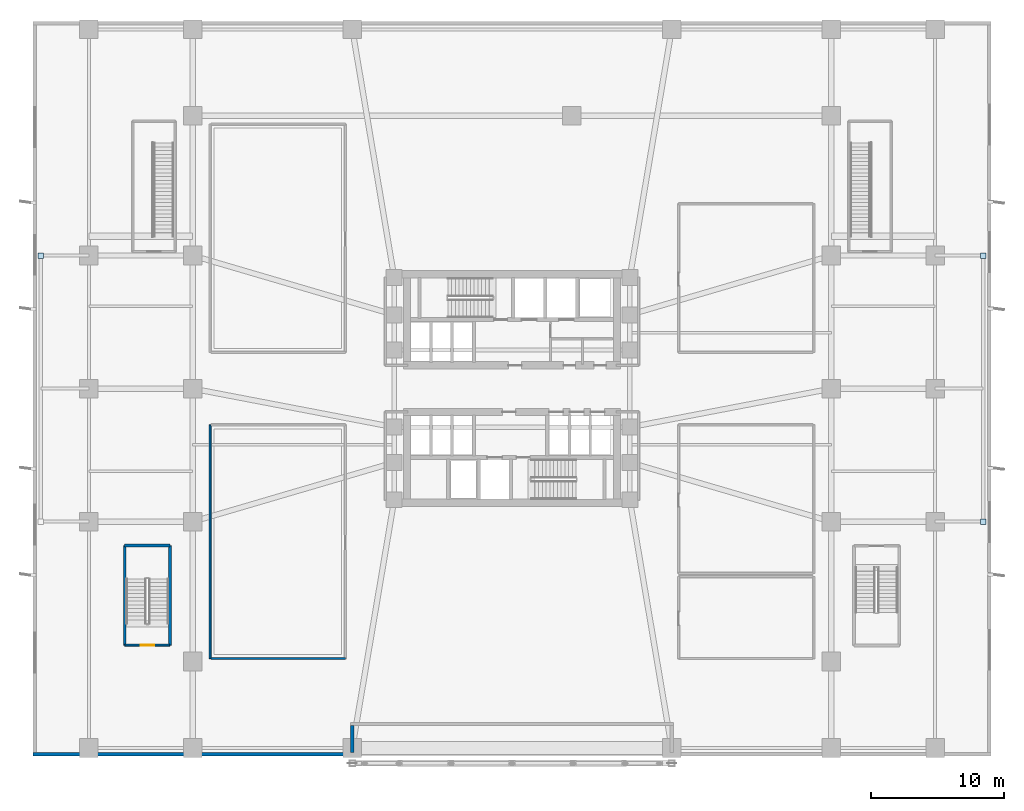
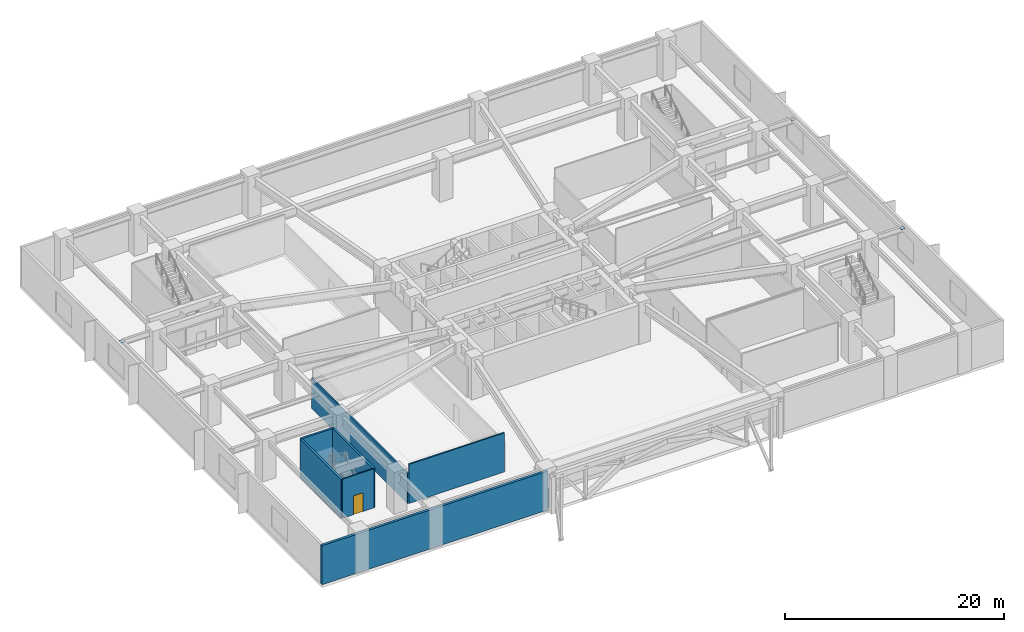
# One storey, part 11 of 21: 8 walls, 3 plates, 1 door, 1 opening.
"""IFC4 building model written with IfcOpenShell, lengths in metres."""

from ifc_helpers import new_model, si_unit, direction, frame, frame_2d, origin, origin_2d, place, context, subcontext, project, spatial, rectangle, extrude, material, layer, layer_set, type_object, element, fill, save


model = new_model("IFC4")

# Units and contexts
model_context = context("Model", 3, precision=1e-05, world=origin(), true_north=direction((0.0, 1.0)))
body_context = subcontext(model_context, "Body", "Model", "MODEL_VIEW")
ifc_project = project(units=[si_unit("LENGTHUNIT", "METRE"), si_unit("AREAUNIT", "SQUARE_METRE"), si_unit("VOLUMEUNIT", "CUBIC_METRE"), si_unit("PLANEANGLEUNIT", "RADIAN"), si_unit("MASSUNIT", "GRAM", prefix="KILO")], contexts=[model_context])

# Site, building, storey
site_placement = place(None, origin())
site = spatial("IfcSite", under=ifc_project, at=site_placement, CompositionType="ELEMENT")
building_placement = place(site_placement, origin())
building = spatial("IfcBuilding", under=site, at=building_placement, Name="Solmarez Civic Tower", CompositionType="ELEMENT")
storey_placement = place(building_placement, frame((0.0, 0.0, 10.080078125)))
storey = spatial("IfcBuildingStorey", under=building, at=storey_placement, Name="L02", CompositionType="ELEMENT", Elevation=10.080078125)

# Plates
ifc_material_1 = material(Name="Steel S355", Category="steel")
ifc_layer_1 = layer(ifc_material_1, 0.02392578125)
ifc_layer_set_1 = layer_set([ifc_layer_1], Name="Steel S355")
plate_type = type_object("IfcPlateType", Name="PLT-CAP-380", PredefinedType="USERDEFINED", material=ifc_layer_set_1)
for number, where, z_axis, x_axis, name in (
    (1, (-35.39990234375, 10.0, 4.14794921875), (0.0, 0.0, 1.0), (1.0, 0.0, 0.0), "Steel Member End Cap Plate CAP-BM-L02-TERRW-EDGE-1"),
    (2, (35.39990234375, -10.0, 4.14794921875), (0.0, 0.0, 1.0), (1.0, 0.0, 0.0), "Steel Member End Cap Plate CAP-BM-L02-TERRE-EDGE-0"),
    (3, (35.39990234375, 10.0, 4.14794921875), (0.0, 0.0, 1.0), (1.0, 0.0, 0.0), "Steel Member End Cap Plate CAP-BM-L02-TERRE-EDGE-1"),
):
    element("IfcPlate", number, at=place(storey_placement, frame(where, z_axis=z_axis, x_axis=x_axis)), inside=storey, type_object=plate_type, Name=name, ObjectType="CAP_PLATE", PredefinedType="USERDEFINED", context=body_context, shape_type="SweptSolid", body=[
        extrude(rectangle(XDim=0.419921875, YDim=0.419921875, at=origin_2d()), origin(), (0.0, 0.0, 1.0), 0.02392578125),
    ])

# Walls
ifc_material_2 = material(Name="Precast concrete C40/50", Category="concrete")
ifc_layer_2 = layer(ifc_material_2, 0.260009765625)
ifc_layer_set_2 = layer_set([ifc_layer_2], Name="Precast concrete C40/50")
wall_type_1 = type_object("IfcWallType", Name="WALL-EXT-260", PredefinedType="SOLIDWALL", material=ifc_layer_set_2)
wall_1_placement = place(storey_placement, frame((-12.0, -25.330078125, 0.0), z_axis=(0.0, 0.0, 1.0), x_axis=(0.0, -1.0, 0.0)))
element("IfcWall", 4, at=wall_1_placement, inside=storey, type_object=wall_type_1, Name="L02 South Arch Podium Wall EW-AW-L02", PredefinedType="SOLIDWALL", context=body_context, shape_type="SweptSolid", body=[
    extrude(rectangle(XDim=2.010009765625, YDim=0.260009765625, at=frame_2d((1.0048828125, 0.0))), origin(), (0.0, 0.0, 1.0), 2.15185546875),
])
wall_2_placement = place(storey_placement, frame((-12.1298828125, -27.469970703125, 0.0), z_axis=(0.0, 0.0, 1.0), x_axis=(-1.0, 0.0, 0.0)))
element("IfcWall", 5, at=wall_2_placement, inside=storey, type_object=wall_type_1, Name="L02 South Arch Podium Wall EW-SW-L02", PredefinedType="SOLIDWALL", context=body_context, shape_type="SweptSolid", body=[
    extrude(rectangle(XDim=23.8701171875, YDim=0.260009765625, at=frame_2d((11.93505859375, 0.0))), origin(), (0.0, 0.0, 1.0), 4.35986328125),
])

# Wall, opening, door
ifc_material_3 = material(Name="Gypsum Board Acoustic Steel-Stud Partition", Category="steel")
ifc_layer_3 = layer(ifc_material_3, 0.14990234375)
ifc_layer_set_3 = layer_set([ifc_layer_3], Name="Gypsum Board Acoustic Steel-Stud Partition")
wall_type_2 = type_object("IfcWallType", Name="WALL-INT-FIRE-150", PredefinedType="PARTITIONING", material=ifc_layer_set_3)
wall_3_placement = place(storey_placement, frame((-29.080078125, -19.280029296875, 0.0), z_axis=(0.0, 0.0, 1.0), x_axis=(1.0, 0.0, 0.0)))
wall_3 = element("IfcWall", 6, at=wall_3_placement, inside=storey, type_object=wall_type_2, Name="L02 Podium Exit Stair STP1 Wall", PredefinedType="PARTITIONING", context=body_context, shape_type="SweptSolid", body=[
    extrude(rectangle(XDim=3.360107421875, YDim=0.14990234375, at=frame_2d((1.68017578125, 0.0))), origin(), (0.0, 0.0, 1.0), 4.35986328125),
])
opening_placement = place(wall_3_placement, frame((1.179931640625, 0.0, 0.0)))
opening = element("IfcOpeningElement", 7, at=opening_placement, cuts=wall_3, Name="Opening D-05", PredefinedType="OPENING", context=body_context, shape_type="SweptSolid", body=[
    extrude(rectangle(XDim=1.0, YDim=2.10009765625, at=frame_2d((0.5, 1.050048828125))), frame((0.0, 0.0849609375, 0.0), z_axis=(0.0, -1.0, 0.0), x_axis=(1.0, 0.0, 0.0)), (0.0, 0.0, 1.0), 0.169921875),
])
ifc_material_4 = material(Name="Fire-Rated Stairwell Exit Door", Category="wood")
door_type = type_object("IfcDoorType", Name="DOOR-FD90-1000", OperationType="NOTDEFINED", PredefinedType="DOOR", material=ifc_material_4)
door_placement = place(opening_placement, origin())
door = element("IfcDoor", 8, at=door_placement, inside=storey, type_object=door_type, Name="L02 Podium Exit Stair STP1 Door", OperationType="SINGLE_SWING_RIGHT", OverallHeight=2.10009765625, OverallWidth=1.0, PredefinedType="DOOR", context=body_context, shape_type="SweptSolid", body=[
    extrude(rectangle(XDim=1.0, YDim=2.10009765625, at=frame_2d((0.5, 1.050048828125))), frame((0.0, 0.02490234375, 0.0), z_axis=(0.0, -1.0, 0.0), x_axis=(1.0, 0.0, 0.0)), (0.0, 0.0, 1.0), 0.050048828125),
])
fill(opening, door)

# Walls
wall_4_placement = place(storey_placement, frame((-22.679931640625, -20.280029296875, 0.0), z_axis=(0.0, 0.0, 1.0), x_axis=(0.0, 1.0, 0.0)))
element("IfcWall", 9, at=wall_4_placement, inside=storey, type_object=wall_type_2, Name="L02 Interior Partition PT-L0X-L02-SW1-B", PredefinedType="PARTITIONING", context=body_context, shape_type="SweptSolid", body=[
    extrude(rectangle(XDim=17.56005859375, YDim=0.14990234375, at=frame_2d((8.780029296875, 0.0))), origin(), (0.0, 0.0, 1.0), 3.369873046875),
])
ifc_layer_4 = layer(ifc_material_3, 0.14501953125)
ifc_layer_set_4 = layer_set([ifc_layer_4], Name="Gypsum Board Acoustic Steel-Stud Partition")
wall_type_3 = type_object("IfcWallType", Name="WALL-INT-PART-150", PredefinedType="PARTITIONING", material=ifc_layer_set_4)
wall_5_placement = place(storey_placement, frame((-22.60009765625, -20.280029296875, 0.0), z_axis=(0.0, 0.0, 1.0), x_axis=(1.0, 0.0, 0.0)))
element("IfcWall", 10, at=wall_5_placement, inside=storey, type_object=wall_type_3, Name="L02 Interior Partition PT-L0X-L02-SW1-S", PredefinedType="PARTITIONING", context=body_context, shape_type="SweptSolid", body=[
    extrude(rectangle(XDim=10.080078125, YDim=0.14501953125, at=frame_2d((5.0400390625, 0.0))), origin(), (0.0, 0.0, 1.0), 4.35986328125),
])
ifc_material_5 = material(Name="Concrete C50/60", Category="concrete")
ifc_layer_5 = layer(ifc_material_5, 0.300048828125)
ifc_layer_set_5 = layer_set([ifc_layer_5], Name="Concrete C50/60")
wall_type_4 = type_object("IfcWallType", Name="WALL-STR-300", PredefinedType="SOLIDWALL", material=ifc_layer_set_5)
for number, where, z_axis, x_axis, name in (
    (11, (-29.10009765625, -19.300048828125, 0.0), (0.0, 0.0, 1.0), (0.0, 1.0, 0.0), "L02 Podium Stair Structural Wall STP1-W"),
    (12, (-25.699951171875, -19.300048828125, 0.0), (0.0, 0.0, 1.0), (0.0, 1.0, 0.0), "L02 Podium Stair Structural Wall STP1-E"),
):
    element("IfcWall", number, at=place(storey_placement, frame(where, z_axis=z_axis, x_axis=x_axis)), inside=storey, type_object=wall_type_4, Name=name, PredefinedType="SOLIDWALL", context=body_context, shape_type="SweptSolid", body=[
        extrude(rectangle(XDim=7.5, YDim=0.219970703125, at=frame_2d((3.75, 0.0))), origin(), (0.0, 0.0, 1.0), 4.35986328125),
    ])
wall_6_placement = place(storey_placement, frame((-29.10009765625, -11.800048828125, 0.0), z_axis=(0.0, 0.0, 1.0), x_axis=(1.0, 0.0, 0.0)))
element("IfcWall", 13, at=wall_6_placement, inside=storey, type_object=wall_type_4, Name="L02 Podium Stair Structural Wall STP1-N", PredefinedType="SOLIDWALL", context=body_context, shape_type="SweptSolid", body=[
    extrude(rectangle(XDim=3.400146484375, YDim=0.219970703125, at=frame_2d((1.7001953125, 0.0))), origin(), (0.0, 0.0, 1.0), 4.35986328125),
])

save(model, "model.ifc")
